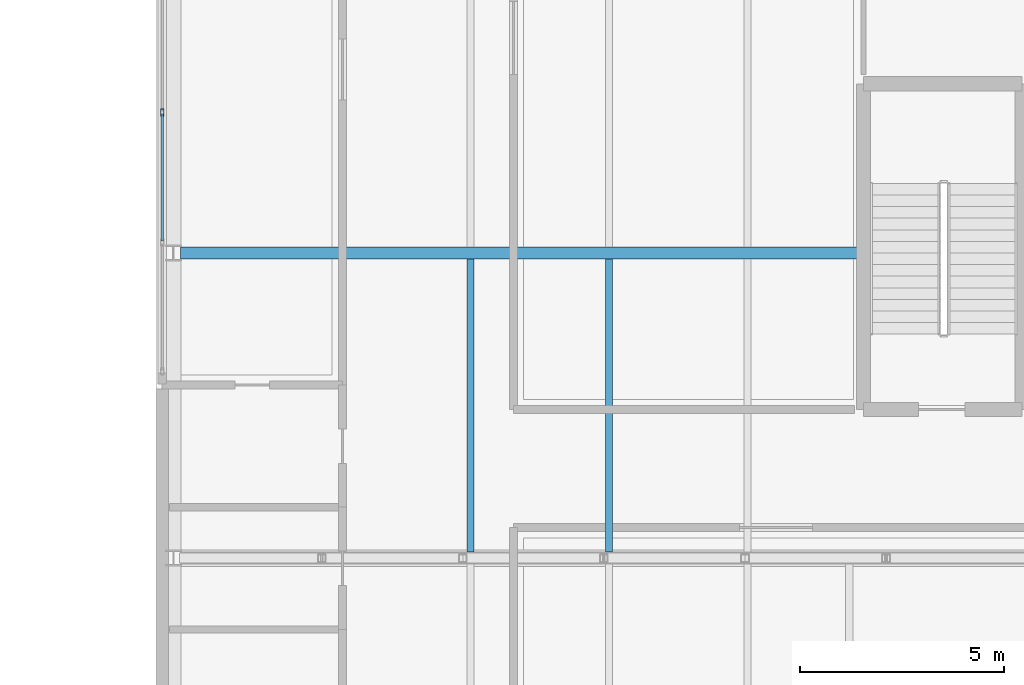
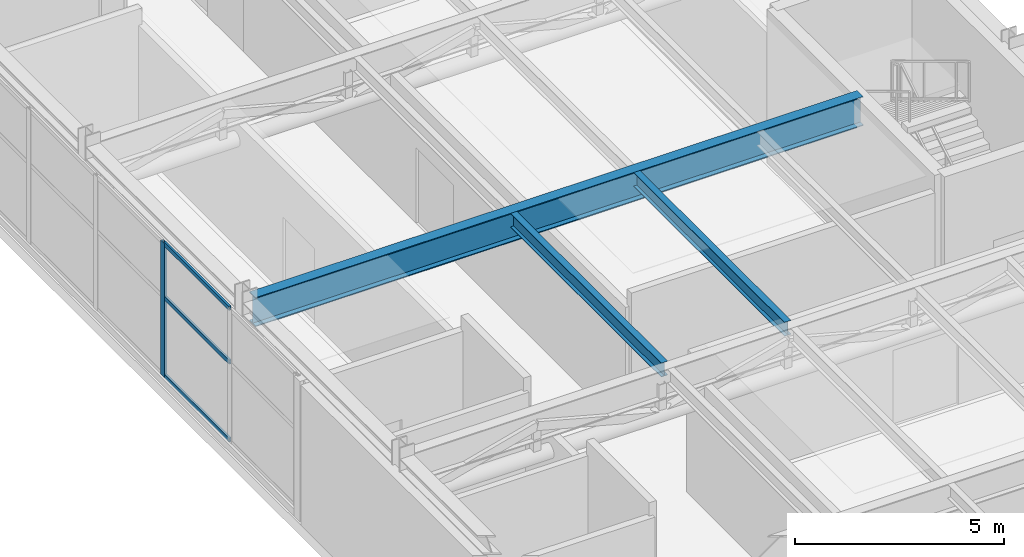
# One storey, part 8 of 29: 4 members, 3 beams, 1 element without a shape of its own.
"""IFC4 building model written with IfcOpenShell, lengths in metres."""

from ifc_helpers import new_model, si_unit, direction, frame, origin, origin_2d, place, context, subcontext, project, spatial, hollow_rectangle, i_section, extrude, material, layer, layer_set, material_profile, profile_set, type_object, element, aggregate, save


model = new_model("IFC4")

# Units and contexts
model_context = context("Model", 3, precision=1e-05, world=origin(), true_north=direction((0.0, 1.0)))
body_context = subcontext(model_context, "Body", "Model", "MODEL_VIEW")
ifc_project = project(units=[si_unit("LENGTHUNIT", "METRE"), si_unit("AREAUNIT", "SQUARE_METRE"), si_unit("VOLUMEUNIT", "CUBIC_METRE"), si_unit("PLANEANGLEUNIT", "RADIAN"), si_unit("MASSUNIT", "GRAM", prefix="KILO")], contexts=[model_context])

# Site, building, storey
site_placement = place(None, origin())
site = spatial("IfcSite", under=ifc_project, at=site_placement, CompositionType="ELEMENT")
building_placement = place(site_placement, origin())
building = spatial("IfcBuilding", under=site, at=building_placement, Name="Mersakhor Tower and Convention Hall", CompositionType="ELEMENT")
storey_placement = place(building_placement, frame((0.0, 0.0, 9.60009765625)))
storey = spatial("IfcBuildingStorey", under=building, at=storey_placement, Name="L02", CompositionType="ELEMENT", Elevation=9.60009765625)

# Beams
ifc_material_1 = material(Name="Steel S355", Category="steel")
ifc_material_profile_1 = material_profile(ifc_material_1, i_section(OverallWidth=0.1787109375, OverallDepth=0.409423828125, WebThickness=0.0087890625, FlangeThickness=0.014404296875, at=origin_2d()), Name="UB 406x178x67")
ifc_profile_set_1 = profile_set([ifc_material_profile_1], Name="Steel S355")
beam_type_1 = type_object("IfcBeamType", Name="BM-JST-406", PredefinedType="JOIST", material=ifc_profile_set_1)
for number, where, z_axis, x_axis, name in (
    (1, (62.800048828125, 18.39697265625, 4.275146484375), (0.0, 1.0, 0.0), (-1.0, 0.0, 0.0), "Convention L02 Composite Floor Joist CJ-3-62"),
    (2, (66.199951171875, 18.39697265625, 4.275146484375), (0.0, 1.0, 0.0), (-1.0, 0.0, 0.0), "Convention L02 Composite Floor Joist CJ-3-66"),
):
    element("IfcBeam", number, at=place(storey_placement, frame(where, z_axis=z_axis, x_axis=x_axis)), inside=storey, type_object=beam_type_1, Name=name, PredefinedType="JOIST", context=body_context, shape_type="SweptSolid", body=[
        extrude(i_section(OverallWidth=0.1787109375, OverallDepth=0.409423828125, WebThickness=0.0087890625, FlangeThickness=0.014404296875, at=origin_2d()), origin(), (0.0, 0.0, 1.0), 7.2060546875),
    ])
ifc_material_2 = material(Name="Steel S355", Category="steel")
ifc_material_profile_2 = material_profile(ifc_material_2, i_section(OverallWidth=0.293701171875, OverallDepth=0.850830078125, WebThickness=0.01611328125, FlangeThickness=0.02685546875, at=origin_2d()), Name="UB 838x292x226")
ifc_profile_set_2 = profile_set([ifc_material_profile_2], Name="Steel S355")
beam_type_2 = type_object("IfcBeamType", Name="BM-PR-838", PredefinedType="BEAM", material=ifc_profile_set_2)
beam_placement = place(storey_placement, frame((55.679931640625, 25.75, 4.054443359375), z_axis=(1.0, 0.0, 0.0), x_axis=(0.0, 1.0, 0.0)))
element("IfcBeam", 3, at=beam_placement, inside=storey, type_object=beam_type_2, Name="Convention L02 Clear-Span Girder CG-4", PredefinedType="BEAM", context=body_context, shape_type="SweptSolid", body=[
    extrude(i_section(OverallWidth=0.293701171875, OverallDepth=0.850830078125, WebThickness=0.01611328125, FlangeThickness=0.02685546875, at=origin_2d()), origin(), (0.0, 0.0, 1.0), 16.77001953125),
])

# Curtain wall, members
ifc_material_3 = material(Name="Dark solar low-E aluminium curtain wall", Category="aluminium")
ifc_layer = layer(ifc_material_3, 0.219970703125)
ifc_layer_set = layer_set([ifc_layer], Name="Dark solar low-E aluminium curtain wall")
curtain_wall_type = type_object("IfcCurtainWallType", Name="CW-SYS-07", PredefinedType="USERDEFINED", material=ifc_layer_set)
curtain_wall_placement = place(storey_placement, origin())
curtain_wall = element("IfcCurtainWall", 4, at=curtain_wall_placement, inside=storey, type_object=curtain_wall_type, Name="Convention L02 West Curtain Wall", ObjectType="CURTAIN WALL", PredefinedType="USERDEFINED")
ifc_material_4 = material(Name="Anodised aluminium EN AW-6063 T6", Category="aluminium")
ifc_material_profile_3 = material_profile(ifc_material_4, hollow_rectangle(XDim=0.080078125, YDim=0.179931640625, WallThickness=0.008056640625, at=origin_2d()), Name="RHS 180x80x8")
ifc_profile_set_3 = profile_set([ifc_material_profile_3], Name="Anodised aluminium EN AW-6063 T6")
member_type_1 = type_object("IfcMemberType", Name="CWM-180x80", PredefinedType="MULLION", material=ifc_profile_set_3)
member_1_placement = place(storey_placement, frame((55.22509765625, 29.199951171875, 0.199951171875), z_axis=(0.0, 0.0, 1.0), x_axis=(-1.0, 0.0, 0.0)))
member_1 = element("IfcMember", 5, at=member_1_placement, type_object=member_type_1, Name="CW-07 mullion 3", PredefinedType="MULLION", context=body_context, shape_type="SweptSolid", body=[
    extrude(hollow_rectangle(XDim=0.080078125, YDim=0.179931640625, WallThickness=0.008056640625, at=origin_2d()), origin(), (0.0, 0.0, 1.0), 3.89990234375),
])
ifc_material_5 = material(Name="Anodised aluminium EN AW-6063 T6", Category="aluminium")
ifc_material_profile_4 = material_profile(ifc_material_5, hollow_rectangle(XDim=0.06005859375, YDim=0.1201171875, WallThickness=0.0048828125, at=origin_2d()), Name="RHS 120x60x5")
ifc_profile_set_4 = profile_set([ifc_material_profile_4], Name="Anodised aluminium EN AW-6063 T6")
member_type_2 = type_object("IfcMemberType", Name="CWT-120x60", PredefinedType="USERDEFINED", material=ifc_profile_set_4)
member_2_placement = place(storey_placement, frame((55.22509765625, 26.0400390625, 0.22998046875), z_axis=(0.0, 1.0, 0.0), x_axis=(-1.0, 0.0, 0.0)))
member_2 = element("IfcMember", 6, at=member_2_placement, type_object=member_type_2, Name="CW-07 transom 2.1", ObjectType="TRANSOM", PredefinedType="USERDEFINED", context=body_context, shape_type="SweptSolid", body=[
    extrude(hollow_rectangle(XDim=0.06005859375, YDim=0.1201171875, WallThickness=0.0048828125, at=origin_2d()), origin(), (0.0, 0.0, 1.0), 3.119873046875),
])
member_3_placement = place(storey_placement, frame((55.22509765625, 26.0400390625, 2.5), z_axis=(0.0, 1.0, 0.0), x_axis=(-1.0, 0.0, 0.0)))
member_3 = element("IfcMember", 7, at=member_3_placement, type_object=member_type_2, Name="CW-07 transom 2.2", ObjectType="TRANSOM", PredefinedType="USERDEFINED", context=body_context, shape_type="SweptSolid", body=[
    extrude(hollow_rectangle(XDim=0.06005859375, YDim=0.1201171875, WallThickness=0.0048828125, at=origin_2d()), origin(), (0.0, 0.0, 1.0), 3.119873046875),
])
member_4_placement = place(storey_placement, frame((55.22509765625, 26.0400390625, 4.06982421875), z_axis=(0.0, 1.0, 0.0), x_axis=(-1.0, 0.0, 0.0)))
member_4 = element("IfcMember", 8, at=member_4_placement, type_object=member_type_2, Name="CW-07 transom 2.3", ObjectType="TRANSOM", PredefinedType="USERDEFINED", context=body_context, shape_type="SweptSolid", body=[
    extrude(hollow_rectangle(XDim=0.06005859375, YDim=0.1201171875, WallThickness=0.0048828125, at=origin_2d()), origin(), (0.0, 0.0, 1.0), 3.119873046875),
])
aggregate(curtain_wall, [member_1, member_2, member_3, member_4])

save(model, "model.ifc")
